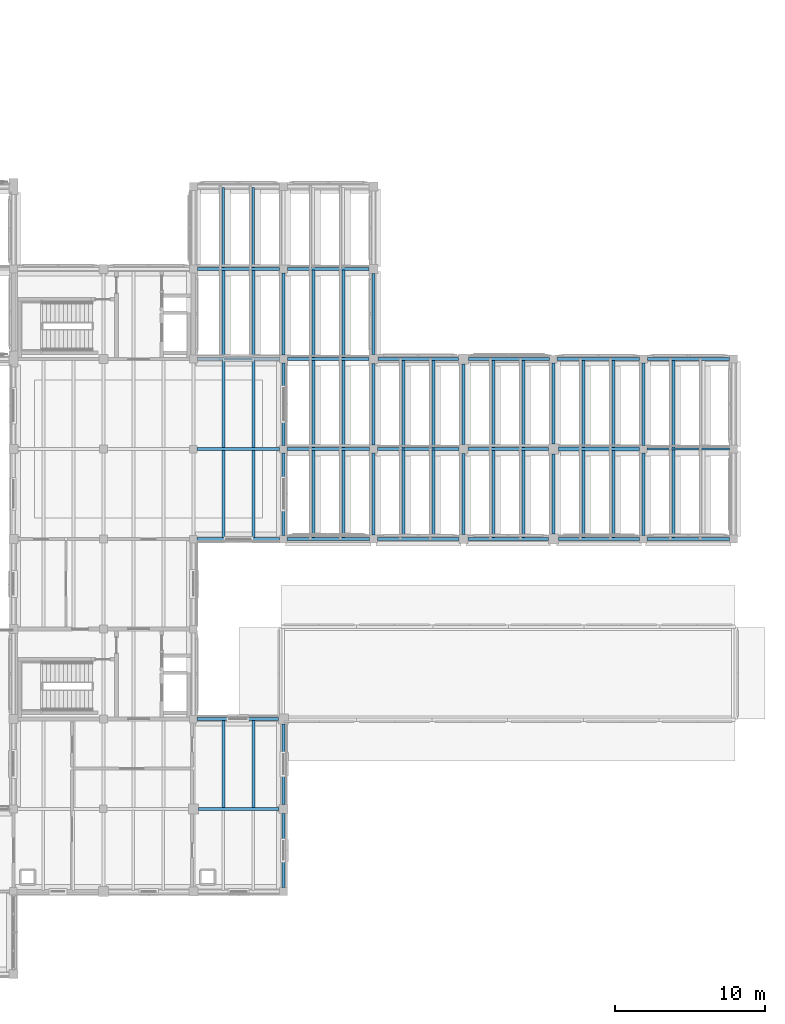
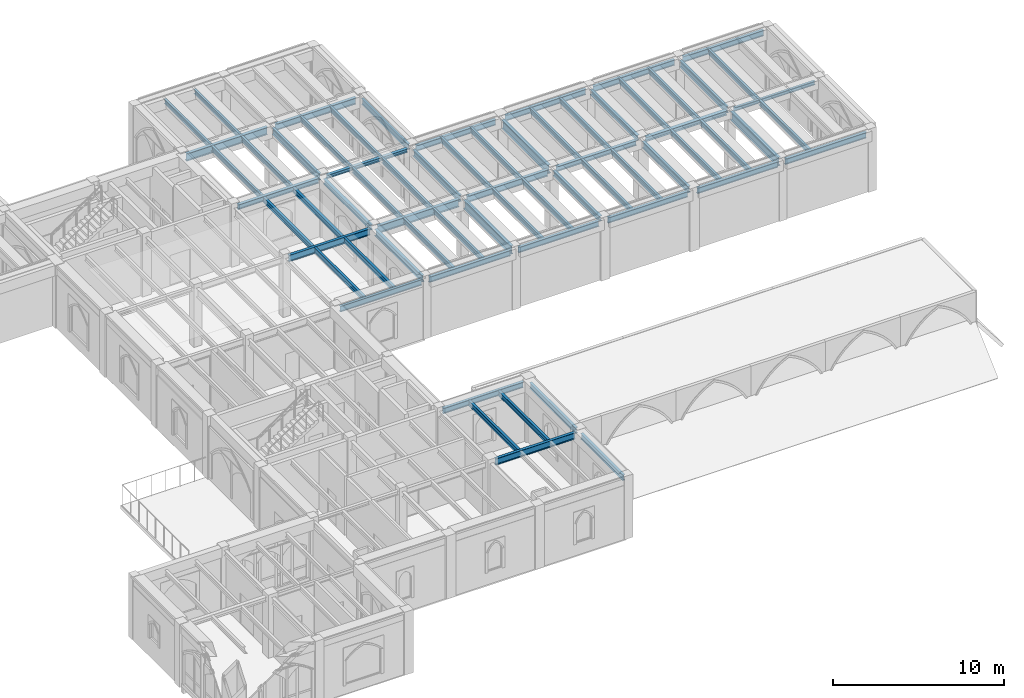
# One storey, part 60 of 127: 66 beams.
"""IFC4 building model written with IfcOpenShell, lengths in metres."""

from ifc_helpers import new_model, si_unit, direction, frame, origin, origin_2d, place, context, subcontext, project, spatial, i_section, extrude, material, material_profile, profile_set, type_object, element, save


model = new_model("IFC4")

# Units and contexts
model_context = context("Model", 3, precision=1e-05, world=origin(), true_north=direction((0.0, 1.0)))
body_context = subcontext(model_context, "Body", "Model", "MODEL_VIEW")
ifc_project = project(units=[si_unit("LENGTHUNIT", "METRE"), si_unit("AREAUNIT", "SQUARE_METRE"), si_unit("VOLUMEUNIT", "CUBIC_METRE"), si_unit("PLANEANGLEUNIT", "RADIAN"), si_unit("MASSUNIT", "GRAM", prefix="KILO")], contexts=[model_context])

# Site, building, storey
site_placement = place(None, origin())
site = spatial("IfcSite", under=ifc_project, at=site_placement, CompositionType="ELEMENT")
building_placement = place(site_placement, origin())
building = spatial("IfcBuilding", under=site, at=building_placement, Name="Cumevento Cable Car Station", CompositionType="ELEMENT")
storey_placement = place(building_placement, frame((0.0, 0.0, 4.5)))
storey = spatial("IfcBuildingStorey", under=building, at=storey_placement, Name="L02", CompositionType="ELEMENT", Elevation=4.5)

# Beams
ifc_material_1 = material(Name="Steel ASTM A572 Grade 50", Category="steel")
ifc_material_profile_1 = material_profile(ifc_material_1, i_section(OverallWidth=0.22802734375, OverallDepth=0.60791015625, WebThickness=0.01123046875, FlangeThickness=0.017333984375, at=origin_2d()), Name="W610x113.0")
ifc_profile_set_1 = profile_set([ifc_material_profile_1], Name="Steel ASTM A572 Grade 50")
beam_type_1 = type_object("IfcBeamType", Name="Structural Beam BM-02 W610x113.0", PredefinedType="BEAM", material=ifc_profile_set_1)
beam_1_placement = place(storey_placement, frame((142.0, 33.27490234375, 3.885986328125), z_axis=(0.0, 1.0, 0.0), x_axis=(-1.0, 0.0, 0.0)))
element("IfcBeam", 1, at=beam_1_placement, inside=storey, type_object=beam_type_1, Name="Beam BM-02 L02 #706", PredefinedType="BEAM", context=body_context, shape_type="SweptSolid", body=[
    extrude(i_section(OverallWidth=0.22802734375, OverallDepth=0.60791015625, WebThickness=0.01123046875, FlangeThickness=0.017333984375, at=origin_2d()), origin(), (0.0, 0.0, 1.0), 5.4501953125),
])
beam_2_placement = place(storey_placement, frame((148.0, 39.300048828125, 3.885986328125), z_axis=(0.0, 1.0, 0.0), x_axis=(-1.0, 0.0, 0.0)))
element("IfcBeam", 2, at=beam_2_placement, inside=storey, type_object=beam_type_1, Name="Beam BM-02 L02 #709", PredefinedType="BEAM", context=body_context, shape_type="SweptSolid", body=[
    extrude(i_section(OverallWidth=0.22802734375, OverallDepth=0.60791015625, WebThickness=0.01123046875, FlangeThickness=0.017333984375, at=origin_2d()), origin(), (0.0, 0.0, 1.0), 5.375),
])
beam_3_placement = place(storey_placement, frame((160.0, 33.25, 3.885986328125), z_axis=(0.0, 1.0, 0.0), x_axis=(-1.0, 0.0, 0.0)))
element("IfcBeam", 3, at=beam_3_placement, inside=storey, type_object=beam_type_1, Name="Beam BM-02 L02 #712", PredefinedType="BEAM", context=body_context, shape_type="SweptSolid", body=[
    extrude(i_section(OverallWidth=0.22802734375, OverallDepth=0.60791015625, WebThickness=0.01123046875, FlangeThickness=0.017333984375, at=origin_2d()), origin(), (0.0, 0.0, 1.0), 5.5),
])
ifc_material_2 = material(Name="Steel ASTM A572 Grade 50", Category="steel")
ifc_material_profile_2 = material_profile(ifc_material_2, i_section(OverallWidth=0.18994140625, OverallDepth=0.45703125, WebThickness=0.009033203125, FlangeThickness=0.014404296875, at=origin_2d()), Name="W460x74.0")
ifc_profile_set_2 = profile_set([ifc_material_profile_2], Name="Steel ASTM A572 Grade 50")
beam_type_2 = type_object("IfcBeamType", Name="Structural Beam BM-04 W460x74.0", PredefinedType="BEAM", material=ifc_profile_set_2)
beam_4_placement = place(storey_placement, frame((136.0, 33.25, 3.95654296875), z_axis=(0.0, 1.0, 0.0), x_axis=(-1.0, 0.0, 0.0)))
element("IfcBeam", 4, at=beam_4_placement, inside=storey, type_object=beam_type_2, Name="Beam BM-04 L02 #689", PredefinedType="BEAM", context=body_context, shape_type="SweptSolid", body=[
    extrude(i_section(OverallWidth=0.18994140625, OverallDepth=0.45703125, WebThickness=0.009033203125, FlangeThickness=0.014404296875, at=origin_2d()), origin(), (0.0, 0.0, 1.0), 5.5),
])
for number, where, z_axis, x_axis, name in (
    (5, (142.27490234375, 39.0, 3.96142578125), (1.0, 0.0, 0.0), (0.0, 1.0, 0.0), "Beam BM-04 L02 #697"),
    (6, (142.0, 39.27490234375, 3.92138671875), (0.0, 1.0, 0.0), (-1.0, 0.0, 0.0), "Beam BM-04 L02 #707"),
):
    element("IfcBeam", number, at=place(storey_placement, frame(where, z_axis=z_axis, x_axis=x_axis)), inside=storey, type_object=beam_type_2, Name=name, PredefinedType="BEAM", context=body_context, shape_type="SweptSolid", body=[
        extrude(i_section(OverallWidth=0.18994140625, OverallDepth=0.45703125, WebThickness=0.009033203125, FlangeThickness=0.014404296875, at=origin_2d()), origin(), (0.0, 0.0, 1.0), 5.425048828125),
    ])
beam_5_placement = place(storey_placement, frame((154.0, 33.324951171875, 3.96142578125), z_axis=(0.0, 1.0, 0.0), x_axis=(-1.0, 0.0, 0.0)))
element("IfcBeam", 7, at=beam_5_placement, inside=storey, type_object=beam_type_2, Name="Beam BM-04 L02 #710", PredefinedType="BEAM", context=body_context, shape_type="SweptSolid", body=[
    extrude(i_section(OverallWidth=0.18994140625, OverallDepth=0.45703125, WebThickness=0.009033203125, FlangeThickness=0.014404296875, at=origin_2d()), origin(), (0.0, 0.0, 1.0), 5.35009765625),
])
beam_6_placement = place(storey_placement, frame((160.0, 39.25, 3.96142578125), z_axis=(0.0, 1.0, 0.0), x_axis=(-1.0, 0.0, 0.0)))
element("IfcBeam", 8, at=beam_6_placement, inside=storey, type_object=beam_type_2, Name="Beam BM-04 L02 #713", PredefinedType="BEAM", context=body_context, shape_type="SweptSolid", body=[
    extrude(i_section(OverallWidth=0.18994140625, OverallDepth=0.45703125, WebThickness=0.009033203125, FlangeThickness=0.014404296875, at=origin_2d()), origin(), (0.0, 0.0, 1.0), 5.47509765625),
])
beam_7_placement = place(storey_placement, frame((136.27490234375, 51.0, 3.92138671875), z_axis=(1.0, 0.0, 0.0), x_axis=(0.0, 1.0, 0.0)))
element("IfcBeam", 9, at=beam_7_placement, inside=storey, type_object=beam_type_2, Name="Beam BM-04 L02 #721", PredefinedType="BEAM", context=body_context, shape_type="SweptSolid", body=[
    extrude(i_section(OverallWidth=0.18994140625, OverallDepth=0.45703125, WebThickness=0.009033203125, FlangeThickness=0.014404296875, at=origin_2d()), origin(), (0.0, 0.0, 1.0), 5.425048828125),
])
beam_8_placement = place(storey_placement, frame((136.0, 45.27490234375, 3.92138671875), z_axis=(0.0, 1.0, 0.0), x_axis=(-1.0, 0.0, 0.0)))
element("IfcBeam", 10, at=beam_8_placement, inside=storey, type_object=beam_type_2, Name="Beam BM-04 L02 #725", PredefinedType="BEAM", context=body_context, shape_type="SweptSolid", body=[
    extrude(i_section(OverallWidth=0.18994140625, OverallDepth=0.45703125, WebThickness=0.009033203125, FlangeThickness=0.014404296875, at=origin_2d()), origin(), (0.0, 0.0, 1.0), 5.4501953125),
])
ifc_material_3 = material(Name="Steel ASTM A572 Grade 50", Category="steel")
ifc_material_profile_3 = material_profile(ifc_material_3, i_section(OverallWidth=0.205078125, OverallDepth=0.35400390625, WebThickness=0.009521484375, FlangeThickness=0.016845703125, at=origin_2d()), Name="W360x79.0")
ifc_profile_set_3 = profile_set([ifc_material_profile_3], Name="Steel ASTM A572 Grade 50")
beam_type_3 = type_object("IfcBeamType", Name="Structural Beam BM-05 W360x79.0", PredefinedType="BEAM", material=ifc_profile_set_3)
beam_9_placement = place(storey_placement, frame((130.27490234375, 45.0, 3.972900390625), z_axis=(1.0, 0.0, 0.0), x_axis=(0.0, 1.0, 0.0)))
element("IfcBeam", 11, at=beam_9_placement, inside=storey, type_object=beam_type_3, Name="Beam BM-05 L02 #682", PredefinedType="BEAM", context=body_context, shape_type="SweptSolid", body=[
    extrude(i_section(OverallWidth=0.205078125, OverallDepth=0.35400390625, WebThickness=0.009521484375, FlangeThickness=0.016845703125, at=origin_2d()), origin(), (0.0, 0.0, 1.0), 5.4501953125),
])
beam_10_placement = place(storey_placement, frame((136.0, 39.25, 3.972900390625), z_axis=(0.0, 1.0, 0.0), x_axis=(-1.0, 0.0, 0.0)))
element("IfcBeam", 12, at=beam_10_placement, inside=storey, type_object=beam_type_3, Name="Beam BM-05 L02 #690", PredefinedType="BEAM", context=body_context, shape_type="SweptSolid", body=[
    extrude(i_section(OverallWidth=0.205078125, OverallDepth=0.35400390625, WebThickness=0.009521484375, FlangeThickness=0.016845703125, at=origin_2d()), origin(), (0.0, 0.0, 1.0), 5.47509765625),
])
beam_11_placement = place(storey_placement, frame((148.300048828125, 39.0, 4.012939453125), z_axis=(1.0, 0.0, 0.0), x_axis=(0.0, 1.0, 0.0)))
element("IfcBeam", 13, at=beam_11_placement, inside=storey, type_object=beam_type_3, Name="Beam BM-05 L02 #698", PredefinedType="BEAM", context=body_context, shape_type="SweptSolid", body=[
    extrude(i_section(OverallWidth=0.205078125, OverallDepth=0.35400390625, WebThickness=0.009521484375, FlangeThickness=0.016845703125, at=origin_2d()), origin(), (0.0, 0.0, 1.0), 5.375),
])
beam_12_placement = place(storey_placement, frame((148.0, 33.300048828125, 4.012939453125), z_axis=(0.0, 1.0, 0.0), x_axis=(-1.0, 0.0, 0.0)))
element("IfcBeam", 14, at=beam_12_placement, inside=storey, type_object=beam_type_3, Name="Beam BM-05 L02 #708", PredefinedType="BEAM", context=body_context, shape_type="SweptSolid", body=[
    extrude(i_section(OverallWidth=0.205078125, OverallDepth=0.35400390625, WebThickness=0.009521484375, FlangeThickness=0.016845703125, at=origin_2d()), origin(), (0.0, 0.0, 1.0), 5.39990234375),
])
beam_13_placement = place(storey_placement, frame((154.0, 39.324951171875, 4.012939453125), z_axis=(0.0, 1.0, 0.0), x_axis=(-1.0, 0.0, 0.0)))
element("IfcBeam", 15, at=beam_13_placement, inside=storey, type_object=beam_type_3, Name="Beam BM-05 L02 #711", PredefinedType="BEAM", context=body_context, shape_type="SweptSolid", body=[
    extrude(i_section(OverallWidth=0.205078125, OverallDepth=0.35400390625, WebThickness=0.009521484375, FlangeThickness=0.016845703125, at=origin_2d()), origin(), (0.0, 0.0, 1.0), 5.425048828125),
])
ifc_material_4 = material(Name="Steel ASTM A572 Grade 50", Category="steel")
ifc_material_profile_4 = material_profile(ifc_material_4, i_section(OverallWidth=0.25390625, OverallDepth=0.305908203125, WebThickness=0.0087890625, FlangeThickness=0.0146484375, at=origin_2d()), Name="W310x79.0")
ifc_profile_set_4 = profile_set([ifc_material_profile_4], Name="Steel ASTM A572 Grade 50")
beam_type_4 = type_object("IfcBeamType", Name="Structural Beam BM-06 W310x79.0", PredefinedType="BEAM", material=ifc_profile_set_4)
beam_14_placement = place(storey_placement, frame((154.324951171875, 39.0, 4.037109375), z_axis=(1.0, 0.0, 0.0), x_axis=(0.0, 1.0, 0.0)))
element("IfcBeam", 16, at=beam_14_placement, inside=storey, type_object=beam_type_4, Name="Beam BM-06 L02 #699", PredefinedType="BEAM", context=body_context, shape_type="SweptSolid", body=[
    extrude(i_section(OverallWidth=0.25390625, OverallDepth=0.305908203125, WebThickness=0.0087890625, FlangeThickness=0.0146484375, at=origin_2d()), origin(), (0.0, 0.0, 1.0), 5.425048828125),
])
ifc_material_5 = material(Name="Steel ASTM A572 Grade 50", Category="steel")
ifc_material_profile_5 = material_profile(ifc_material_5, i_section(OverallWidth=0.14794921875, OverallDepth=0.26611328125, WebThickness=0.007568359375, FlangeThickness=0.012939453125, at=origin_2d()), Name="W250x44.8")
ifc_profile_set_5 = profile_set([ifc_material_profile_5], Name="Steel ASTM A572 Grade 50")
beam_type_5 = type_object("IfcBeamType", Name="Structural Beam BM-07 W250x44.8", PredefinedType="BEAM", material=ifc_profile_set_5)
beam_15_placement = place(storey_placement, frame((160.25, 39.0, 4.056884765625), z_axis=(1.0, 0.0, 0.0), x_axis=(0.0, 1.0, 0.0)))
element("IfcBeam", 17, at=beam_15_placement, inside=storey, type_object=beam_type_5, Name="Beam BM-07 L02 #700", PredefinedType="BEAM", context=body_context, shape_type="SweptSolid", body=[
    extrude(i_section(OverallWidth=0.14794921875, OverallDepth=0.26611328125, WebThickness=0.007568359375, FlangeThickness=0.012939453125, at=origin_2d()), origin(), (0.0, 0.0, 1.0), 5.47509765625),
])
ifc_material_6 = material(Name="Steel ASTM A572 Grade 50", Category="steel")
ifc_material_profile_6 = material_profile(ifc_material_6, i_section(OverallWidth=0.202880859375, OverallDepth=0.251953125, WebThickness=0.008056640625, FlangeThickness=0.013427734375, at=origin_2d()), Name="W250x58.0")
ifc_profile_set_6 = profile_set([ifc_material_profile_6], Name="Steel ASTM A572 Grade 50")
beam_type_6 = type_object("IfcBeamType", Name="Structural Beam BM-08 W250x58.0", PredefinedType="BEAM", material=ifc_profile_set_6)
beam_16_placement = place(storey_placement, frame((136.27490234375, 45.0, 4.02392578125), z_axis=(1.0, 0.0, 0.0), x_axis=(0.0, 1.0, 0.0)))
element("IfcBeam", 18, at=beam_16_placement, inside=storey, type_object=beam_type_6, Name="Beam BM-08 L02 #701", PredefinedType="BEAM", context=body_context, shape_type="SweptSolid", body=[
    extrude(i_section(OverallWidth=0.202880859375, OverallDepth=0.251953125, WebThickness=0.008056640625, FlangeThickness=0.013427734375, at=origin_2d()), origin(), (0.0, 0.0, 1.0), 5.425048828125),
])
ifc_material_7 = material(Name="Steel ASTM A572 Grade 50", Category="steel")
ifc_material_profile_7 = material_profile(ifc_material_7, i_section(OverallWidth=0.19189453125, OverallDepth=0.462890625, WebThickness=0.010498046875, FlangeThickness=0.017578125, at=origin_2d()), Name="W460x89.0")
ifc_profile_set_7 = profile_set([ifc_material_profile_7], Name="Steel ASTM A572 Grade 50")
beam_type_7 = type_object("IfcBeamType", Name="Structural Beam BM-10 W460x89.0", PredefinedType="BEAM", material=ifc_profile_set_7)
beam_17_placement = place(storey_placement, frame((130.324951171875, 15.0, 3.984619140625), z_axis=(1.0, 0.0, 0.0), x_axis=(0.0, 1.0, 0.0)))
element("IfcBeam", 19, at=beam_17_placement, inside=storey, type_object=beam_type_7, Name="Beam BM-10 L02 #655", PredefinedType="BEAM", context=body_context, shape_type="SweptSolid", body=[
    extrude(i_section(OverallWidth=0.19189453125, OverallDepth=0.462890625, WebThickness=0.010498046875, FlangeThickness=0.017578125, at=origin_2d()), origin(), (0.0, 0.0, 1.0), 5.375),
])
beam_18_placement = place(storey_placement, frame((130.25, 39.0, 3.95361328125), z_axis=(1.0, 0.0, 0.0), x_axis=(0.0, 1.0, 0.0)))
element("IfcBeam", 20, at=beam_18_placement, inside=storey, type_object=beam_type_7, Name="Beam BM-10 L02 #679", PredefinedType="BEAM", context=body_context, shape_type="SweptSolid", body=[
    extrude(i_section(OverallWidth=0.19189453125, OverallDepth=0.462890625, WebThickness=0.010498046875, FlangeThickness=0.017578125, at=origin_2d()), origin(), (0.0, 0.0, 1.0), 5.5),
])
ifc_material_8 = material(Name="Steel ASTM A572 Grade 50", Category="steel")
ifc_material_profile_8 = material_profile(ifc_material_8, i_section(OverallWidth=0.2109375, OverallDepth=0.5390625, WebThickness=0.01171875, FlangeThickness=0.018798828125, at=origin_2d()), Name="W530x109.0")
ifc_profile_set_8 = profile_set([ifc_material_profile_8], Name="Steel ASTM A572 Grade 50")
beam_type_8 = type_object("IfcBeamType", Name="Structural Beam BM-11 W530x109.0", PredefinedType="BEAM", material=ifc_profile_set_8)
beam_19_placement = place(storey_placement, frame((136.25, 39.0, 3.91552734375), z_axis=(1.0, 0.0, 0.0), x_axis=(0.0, 1.0, 0.0)))
element("IfcBeam", 21, at=beam_19_placement, inside=storey, type_object=beam_type_8, Name="Beam BM-11 L02 #696", PredefinedType="BEAM", context=body_context, shape_type="SweptSolid", body=[
    extrude(i_section(OverallWidth=0.2109375, OverallDepth=0.5390625, WebThickness=0.01171875, FlangeThickness=0.018798828125, at=origin_2d()), origin(), (0.0, 0.0, 1.0), 5.47509765625),
])
beam_20_placement = place(storey_placement, frame((130.27490234375, 51.0, 3.880615234375), z_axis=(1.0, 0.0, 0.0), x_axis=(0.0, 1.0, 0.0)))
element("IfcBeam", 22, at=beam_20_placement, inside=storey, type_object=beam_type_8, Name="Beam BM-11 L02 #720", PredefinedType="BEAM", context=body_context, shape_type="SweptSolid", body=[
    extrude(i_section(OverallWidth=0.2109375, OverallDepth=0.5390625, WebThickness=0.01171875, FlangeThickness=0.018798828125, at=origin_2d()), origin(), (0.0, 0.0, 1.0), 5.4501953125),
])
ifc_material_9 = material(Name="Steel ASTM A572 Grade 50", Category="steel")
ifc_material_profile_9 = material_profile(ifc_material_9, i_section(OverallWidth=0.1708984375, OverallDepth=0.35498046875, WebThickness=0.007080078125, FlangeThickness=0.01171875, at=origin_2d()), Name="W360x51.0")
ifc_profile_set_9 = profile_set([ifc_material_profile_9], Name="Steel ASTM A572 Grade 50")
beam_type_9 = type_object("IfcBeamType", Name="Structural Joist JS-01 W360x51.0", PredefinedType="JOIST", material=ifc_profile_set_9)
for number, where, z_axis, x_axis, name in (
    (23, (132.0, 15.083984375, 4.03857421875), (0.0, 1.0, 0.0), (-1.0, 0.0, 0.0), "Composite Floor Joist JS-01 L02 #875"),
    (24, (134.0, 15.083984375, 4.03857421875), (0.0, 1.0, 0.0), (-1.0, 0.0, 0.0), "Composite Floor Joist JS-01 L02 #877"),
    (25, (132.0, 33.076904296875, 4.007568359375), (0.0, 1.0, 0.0), (-1.0, 0.0, 0.0), "Composite Floor Joist JS-01 L02 #891"),
):
    element("IfcBeam", number, at=place(storey_placement, frame(where, z_axis=z_axis, x_axis=x_axis)), inside=storey, type_object=beam_type_9, Name=name, PredefinedType="JOIST", context=body_context, shape_type="SweptSolid", body=[
        extrude(i_section(OverallWidth=0.1708984375, OverallDepth=0.35498046875, WebThickness=0.007080078125, FlangeThickness=0.01171875, at=origin_2d()), origin(), (0.0, 0.0, 1.0), 5.839111328125),
    ])
beam_21_placement = place(storey_placement, frame((132.0, 39.083984375, 3.972412109375), z_axis=(0.0, 1.0, 0.0), x_axis=(-1.0, 0.0, 0.0)))
element("IfcBeam", 26, at=beam_21_placement, inside=storey, type_object=beam_type_9, Name="Composite Floor Joist JS-01 L02 #892", PredefinedType="JOIST", context=body_context, shape_type="SweptSolid", body=[
    extrude(i_section(OverallWidth=0.1708984375, OverallDepth=0.35498046875, WebThickness=0.007080078125, FlangeThickness=0.01171875, at=origin_2d()), origin(), (0.0, 0.0, 1.0), 5.825439453125),
])
beam_22_placement = place(storey_placement, frame((134.0, 33.076904296875, 4.007568359375), z_axis=(0.0, 1.0, 0.0), x_axis=(-1.0, 0.0, 0.0)))
element("IfcBeam", 27, at=beam_22_placement, inside=storey, type_object=beam_type_9, Name="Composite Floor Joist JS-01 L02 #893", PredefinedType="JOIST", context=body_context, shape_type="SweptSolid", body=[
    extrude(i_section(OverallWidth=0.1708984375, OverallDepth=0.35498046875, WebThickness=0.007080078125, FlangeThickness=0.01171875, at=origin_2d()), origin(), (0.0, 0.0, 1.0), 5.839111328125),
])
beam_23_placement = place(storey_placement, frame((134.0, 39.083984375, 3.972412109375), z_axis=(0.0, 1.0, 0.0), x_axis=(-1.0, 0.0, 0.0)))
element("IfcBeam", 28, at=beam_23_placement, inside=storey, type_object=beam_type_9, Name="Composite Floor Joist JS-01 L02 #894", PredefinedType="JOIST", context=body_context, shape_type="SweptSolid", body=[
    extrude(i_section(OverallWidth=0.1708984375, OverallDepth=0.35498046875, WebThickness=0.007080078125, FlangeThickness=0.01171875, at=origin_2d()), origin(), (0.0, 0.0, 1.0), 5.825439453125),
])
beam_24_placement = place(storey_placement, frame((138.0, 33.076904296875, 4.012451171875), z_axis=(0.0, 1.0, 0.0), x_axis=(-1.0, 0.0, 0.0)))
element("IfcBeam", 29, at=beam_24_placement, inside=storey, type_object=beam_type_9, Name="Composite Floor Joist JS-01 L02 #895", PredefinedType="JOIST", context=body_context, shape_type="SweptSolid", body=[
    extrude(i_section(OverallWidth=0.1708984375, OverallDepth=0.35498046875, WebThickness=0.007080078125, FlangeThickness=0.01171875, at=origin_2d()), origin(), (0.0, 0.0, 1.0), 5.82958984375),
])
beam_25_placement = place(storey_placement, frame((138.0, 39.093505859375, 3.972412109375), z_axis=(0.0, 1.0, 0.0), x_axis=(-1.0, 0.0, 0.0)))
element("IfcBeam", 30, at=beam_25_placement, inside=storey, type_object=beam_type_9, Name="Composite Floor Joist JS-01 L02 #896", PredefinedType="JOIST", context=body_context, shape_type="SweptSolid", body=[
    extrude(i_section(OverallWidth=0.1708984375, OverallDepth=0.35498046875, WebThickness=0.007080078125, FlangeThickness=0.01171875, at=origin_2d()), origin(), (0.0, 0.0, 1.0), 5.81689453125),
])
beam_26_placement = place(storey_placement, frame((140.0, 33.076904296875, 4.012451171875), z_axis=(0.0, 1.0, 0.0), x_axis=(-1.0, 0.0, 0.0)))
element("IfcBeam", 31, at=beam_26_placement, inside=storey, type_object=beam_type_9, Name="Composite Floor Joist JS-01 L02 #897", PredefinedType="JOIST", context=body_context, shape_type="SweptSolid", body=[
    extrude(i_section(OverallWidth=0.1708984375, OverallDepth=0.35498046875, WebThickness=0.007080078125, FlangeThickness=0.01171875, at=origin_2d()), origin(), (0.0, 0.0, 1.0), 5.82958984375),
])
beam_27_placement = place(storey_placement, frame((140.0, 39.093505859375, 3.972412109375), z_axis=(0.0, 1.0, 0.0), x_axis=(-1.0, 0.0, 0.0)))
element("IfcBeam", 32, at=beam_27_placement, inside=storey, type_object=beam_type_9, Name="Composite Floor Joist JS-01 L02 #898", PredefinedType="JOIST", context=body_context, shape_type="SweptSolid", body=[
    extrude(i_section(OverallWidth=0.1708984375, OverallDepth=0.35498046875, WebThickness=0.007080078125, FlangeThickness=0.01171875, at=origin_2d()), origin(), (0.0, 0.0, 1.0), 5.81689453125),
])
for number, where, z_axis, x_axis, name in (
    (33, (144.0, 33.076904296875, 4.012451171875), (0.0, 1.0, 0.0), (-1.0, 0.0, 0.0), "Composite Floor Joist JS-01 L02 #899"),
    (34, (144.0, 39.0830078125, 4.012451171875), (0.0, 1.0, 0.0), (-1.0, 0.0, 0.0), "Composite Floor Joist JS-01 L02 #900"),
    (35, (146.0, 33.076904296875, 4.012451171875), (0.0, 1.0, 0.0), (-1.0, 0.0, 0.0), "Composite Floor Joist JS-01 L02 #901"),
    (36, (146.0, 39.0830078125, 4.012451171875), (0.0, 1.0, 0.0), (-1.0, 0.0, 0.0), "Composite Floor Joist JS-01 L02 #902"),
):
    element("IfcBeam", number, at=place(storey_placement, frame(where, z_axis=z_axis, x_axis=x_axis)), inside=storey, type_object=beam_type_9, Name=name, PredefinedType="JOIST", context=body_context, shape_type="SweptSolid", body=[
        extrude(i_section(OverallWidth=0.1708984375, OverallDepth=0.35498046875, WebThickness=0.007080078125, FlangeThickness=0.01171875, at=origin_2d()), origin(), (0.0, 0.0, 1.0), 5.840087890625),
    ])
for number, where, z_axis, x_axis, name in (
    (37, (150.0, 33.076904296875, 4.012451171875), (0.0, 1.0, 0.0), (-1.0, 0.0, 0.0), "Composite Floor Joist JS-01 L02 #903"),
    (38, (150.0, 39.090576171875, 4.012451171875), (0.0, 1.0, 0.0), (-1.0, 0.0, 0.0), "Composite Floor Joist JS-01 L02 #904"),
    (39, (152.0, 33.076904296875, 4.012451171875), (0.0, 1.0, 0.0), (-1.0, 0.0, 0.0), "Composite Floor Joist JS-01 L02 #905"),
    (40, (152.0, 39.090576171875, 4.012451171875), (0.0, 1.0, 0.0), (-1.0, 0.0, 0.0), "Composite Floor Joist JS-01 L02 #906"),
):
    element("IfcBeam", number, at=place(storey_placement, frame(where, z_axis=z_axis, x_axis=x_axis)), inside=storey, type_object=beam_type_9, Name=name, PredefinedType="JOIST", context=body_context, shape_type="SweptSolid", body=[
        extrude(i_section(OverallWidth=0.1708984375, OverallDepth=0.35498046875, WebThickness=0.007080078125, FlangeThickness=0.01171875, at=origin_2d()), origin(), (0.0, 0.0, 1.0), 5.83251953125),
    ])
for number, where, z_axis, x_axis, name in (
    (41, (156.0, 33.076904296875, 4.012451171875), (0.0, 1.0, 0.0), (-1.0, 0.0, 0.0), "Composite Floor Joist JS-01 L02 #907"),
    (42, (156.0, 39.114990234375, 4.012451171875), (0.0, 1.0, 0.0), (-1.0, 0.0, 0.0), "Composite Floor Joist JS-01 L02 #908"),
    (43, (158.0, 33.076904296875, 4.012451171875), (0.0, 1.0, 0.0), (-1.0, 0.0, 0.0), "Composite Floor Joist JS-01 L02 #909"),
    (44, (158.0, 39.114990234375, 4.012451171875), (0.0, 1.0, 0.0), (-1.0, 0.0, 0.0), "Composite Floor Joist JS-01 L02 #910"),
):
    element("IfcBeam", number, at=place(storey_placement, frame(where, z_axis=z_axis, x_axis=x_axis)), inside=storey, type_object=beam_type_9, Name=name, PredefinedType="JOIST", context=body_context, shape_type="SweptSolid", body=[
        extrude(i_section(OverallWidth=0.1708984375, OverallDepth=0.35498046875, WebThickness=0.007080078125, FlangeThickness=0.01171875, at=origin_2d()), origin(), (0.0, 0.0, 1.0), 5.80810546875),
    ])
for number, where, z_axis, x_axis, name in (
    (45, (162.0, 33.076904296875, 4.012451171875), (0.0, 1.0, 0.0), (-1.0, 0.0, 0.0), "Composite Floor Joist JS-01 L02 #911"),
    (46, (162.0, 39.06201171875, 4.012451171875), (0.0, 1.0, 0.0), (-1.0, 0.0, 0.0), "Composite Floor Joist JS-01 L02 #912"),
):
    element("IfcBeam", number, at=place(storey_placement, frame(where, z_axis=z_axis, x_axis=x_axis)), inside=storey, type_object=beam_type_9, Name=name, PredefinedType="JOIST", context=body_context, shape_type="SweptSolid", body=[
        extrude(i_section(OverallWidth=0.1708984375, OverallDepth=0.35498046875, WebThickness=0.007080078125, FlangeThickness=0.01171875, at=origin_2d()), origin(), (0.0, 0.0, 1.0), 5.861083984375),
    ])
for number, where, z_axis, x_axis, name in (
    (47, (132.0, 45.090576171875, 3.972412109375), (0.0, 1.0, 0.0), (-1.0, 0.0, 0.0), "Composite Floor Joist JS-01 L02 #916"),
    (48, (134.0, 45.090576171875, 3.972412109375), (0.0, 1.0, 0.0), (-1.0, 0.0, 0.0), "Composite Floor Joist JS-01 L02 #918"),
):
    element("IfcBeam", number, at=place(storey_placement, frame(where, z_axis=z_axis, x_axis=x_axis)), inside=storey, type_object=beam_type_9, Name=name, PredefinedType="JOIST", context=body_context, shape_type="SweptSolid", body=[
        extrude(i_section(OverallWidth=0.1708984375, OverallDepth=0.35498046875, WebThickness=0.007080078125, FlangeThickness=0.01171875, at=origin_2d()), origin(), (0.0, 0.0, 1.0), 5.81591796875),
    ])
for number, where, z_axis, x_axis, name in (
    (49, (138.0, 45.089599609375, 3.972412109375), (0.0, 1.0, 0.0), (-1.0, 0.0, 0.0), "Composite Floor Joist JS-01 L02 #920"),
    (50, (140.0, 45.089599609375, 3.972412109375), (0.0, 1.0, 0.0), (-1.0, 0.0, 0.0), "Composite Floor Joist JS-01 L02 #922"),
):
    element("IfcBeam", number, at=place(storey_placement, frame(where, z_axis=z_axis, x_axis=x_axis)), inside=storey, type_object=beam_type_9, Name=name, PredefinedType="JOIST", context=body_context, shape_type="SweptSolid", body=[
        extrude(i_section(OverallWidth=0.1708984375, OverallDepth=0.35498046875, WebThickness=0.007080078125, FlangeThickness=0.01171875, at=origin_2d()), origin(), (0.0, 0.0, 1.0), 5.827392578125),
    ])
ifc_material_10 = material(Name="Steel ASTM A572 Grade 50", Category="steel")
ifc_material_profile_10 = material_profile(ifc_material_10, i_section(OverallWidth=0.1669921875, OverallDepth=0.31689453125, WebThickness=0.007568359375, FlangeThickness=0.01318359375, at=origin_2d()), Name="W310x52.0")
ifc_profile_set_10 = profile_set([ifc_material_profile_10], Name="Steel ASTM A572 Grade 50")
beam_type_10 = type_object("IfcBeamType", Name="Structural Joist JS-02 W310x52.0", PredefinedType="JOIST", material=ifc_profile_set_10)
for number, where, z_axis, x_axis, name in (
    (51, (132.0, 51.093505859375, 3.991455078125), (0.0, 1.0, 0.0), (-1.0, 0.0, 0.0), "Composite Floor Joist JS-02 L02 #917"),
    (52, (134.0, 51.093505859375, 3.991455078125), (0.0, 1.0, 0.0), (-1.0, 0.0, 0.0), "Composite Floor Joist JS-02 L02 #919"),
):
    element("IfcBeam", number, at=place(storey_placement, frame(where, z_axis=z_axis, x_axis=x_axis)), inside=storey, type_object=beam_type_10, Name=name, PredefinedType="JOIST", context=body_context, shape_type="SweptSolid", body=[
        extrude(i_section(OverallWidth=0.1669921875, OverallDepth=0.31689453125, WebThickness=0.007568359375, FlangeThickness=0.01318359375, at=origin_2d()), origin(), (0.0, 0.0, 1.0), 5.32958984375),
    ])
ifc_material_11 = material(Name="Steel ASTM A572 Grade 50", Category="steel")
ifc_material_profile_11 = material_profile(ifc_material_11, i_section(OverallWidth=0.177978515625, OverallDepth=0.406982421875, WebThickness=0.0078125, FlangeThickness=0.0126953125, at=origin_2d()), Name="W410x60.0")
ifc_profile_set_11 = profile_set([ifc_material_profile_11], Name="Steel ASTM A572 Grade 50")
beam_type_11 = type_object("IfcBeamType", Name="Structural Spandrel SP-01 W410x60.0", PredefinedType="SPANDREL", material=ifc_profile_set_11)
beam_28_placement = place(storey_placement, frame((130.25, 21.0, 4.00048828125), z_axis=(1.0, 0.0, 0.0), x_axis=(0.0, 1.0, 0.0)))
element("IfcBeam", 53, at=beam_28_placement, inside=storey, type_object=beam_type_11, Name="Beam SP-01 L02 #658", PredefinedType="SPANDREL", context=body_context, shape_type="SweptSolid", body=[
    extrude(i_section(OverallWidth=0.177978515625, OverallDepth=0.406982421875, WebThickness=0.0078125, FlangeThickness=0.0126953125, at=origin_2d()), origin(), (0.0, 0.0, 1.0), 5.425048828125),
])
beam_29_placement = place(storey_placement, frame((136.0, 9.77490234375, 4.012451171875), z_axis=(0.0, 1.0, 0.0), x_axis=(-1.0, 0.0, 0.0)))
element("IfcBeam", 54, at=beam_29_placement, inside=storey, type_object=beam_type_11, Name="Beam SP-01 L02 #664", PredefinedType="SPANDREL", context=body_context, shape_type="SweptSolid", body=[
    extrude(i_section(OverallWidth=0.177978515625, OverallDepth=0.406982421875, WebThickness=0.0078125, FlangeThickness=0.0126953125, at=origin_2d()), origin(), (0.0, 0.0, 1.0), 4.925048828125),
])
beam_30_placement = place(storey_placement, frame((136.0, 15.300048828125, 4.012451171875), z_axis=(0.0, 1.0, 0.0), x_axis=(-1.0, 0.0, 0.0)))
element("IfcBeam", 55, at=beam_30_placement, inside=storey, type_object=beam_type_11, Name="Beam SP-01 L02 #665", PredefinedType="SPANDREL", context=body_context, shape_type="SweptSolid", body=[
    extrude(i_section(OverallWidth=0.177978515625, OverallDepth=0.406982421875, WebThickness=0.0078125, FlangeThickness=0.0126953125, at=origin_2d()), origin(), (0.0, 0.0, 1.0), 5.375),
])
beam_31_placement = place(storey_placement, frame((130.25, 33.0, 3.9814453125), z_axis=(1.0, 0.0, 0.0), x_axis=(0.0, 1.0, 0.0)))
element("IfcBeam", 56, at=beam_31_placement, inside=storey, type_object=beam_type_11, Name="Beam SP-01 L02 #676", PredefinedType="SPANDREL", context=body_context, shape_type="SweptSolid", body=[
    extrude(i_section(OverallWidth=0.177978515625, OverallDepth=0.406982421875, WebThickness=0.0078125, FlangeThickness=0.0126953125, at=origin_2d()), origin(), (0.0, 0.0, 1.0), 5.5),
])
beam_32_placement = place(storey_placement, frame((136.25, 33.0, 3.9814453125), z_axis=(1.0, 0.0, 0.0), x_axis=(0.0, 1.0, 0.0)))
element("IfcBeam", 57, at=beam_32_placement, inside=storey, type_object=beam_type_11, Name="Beam SP-01 L02 #691", PredefinedType="SPANDREL", context=body_context, shape_type="SweptSolid", body=[
    extrude(i_section(OverallWidth=0.177978515625, OverallDepth=0.406982421875, WebThickness=0.0078125, FlangeThickness=0.0126953125, at=origin_2d()), origin(), (0.0, 0.0, 1.0), 5.47509765625),
])
beam_33_placement = place(storey_placement, frame((142.27490234375, 33.0, 3.986572265625), z_axis=(1.0, 0.0, 0.0), x_axis=(0.0, 1.0, 0.0)))
element("IfcBeam", 58, at=beam_33_placement, inside=storey, type_object=beam_type_11, Name="Beam SP-01 L02 #692", PredefinedType="SPANDREL", context=body_context, shape_type="SweptSolid", body=[
    extrude(i_section(OverallWidth=0.177978515625, OverallDepth=0.406982421875, WebThickness=0.0078125, FlangeThickness=0.0126953125, at=origin_2d()), origin(), (0.0, 0.0, 1.0), 5.425048828125),
])
beam_34_placement = place(storey_placement, frame((148.300048828125, 33.0, 3.986572265625), z_axis=(1.0, 0.0, 0.0), x_axis=(0.0, 1.0, 0.0)))
element("IfcBeam", 59, at=beam_34_placement, inside=storey, type_object=beam_type_11, Name="Beam SP-01 L02 #693", PredefinedType="SPANDREL", context=body_context, shape_type="SweptSolid", body=[
    extrude(i_section(OverallWidth=0.177978515625, OverallDepth=0.406982421875, WebThickness=0.0078125, FlangeThickness=0.0126953125, at=origin_2d()), origin(), (0.0, 0.0, 1.0), 5.375),
])
beam_35_placement = place(storey_placement, frame((154.324951171875, 33.0, 3.986572265625), z_axis=(1.0, 0.0, 0.0), x_axis=(0.0, 1.0, 0.0)))
element("IfcBeam", 60, at=beam_35_placement, inside=storey, type_object=beam_type_11, Name="Beam SP-01 L02 #694", PredefinedType="SPANDREL", context=body_context, shape_type="SweptSolid", body=[
    extrude(i_section(OverallWidth=0.177978515625, OverallDepth=0.406982421875, WebThickness=0.0078125, FlangeThickness=0.0126953125, at=origin_2d()), origin(), (0.0, 0.0, 1.0), 5.425048828125),
])
beam_36_placement = place(storey_placement, frame((160.25, 33.0, 3.986572265625), z_axis=(1.0, 0.0, 0.0), x_axis=(0.0, 1.0, 0.0)))
element("IfcBeam", 61, at=beam_36_placement, inside=storey, type_object=beam_type_11, Name="Beam SP-01 L02 #695", PredefinedType="SPANDREL", context=body_context, shape_type="SweptSolid", body=[
    extrude(i_section(OverallWidth=0.177978515625, OverallDepth=0.406982421875, WebThickness=0.0078125, FlangeThickness=0.0126953125, at=origin_2d()), origin(), (0.0, 0.0, 1.0), 5.47509765625),
])
beam_37_placement = place(storey_placement, frame((142.300048828125, 45.0, 3.946533203125), z_axis=(1.0, 0.0, 0.0), x_axis=(0.0, 1.0, 0.0)))
element("IfcBeam", 62, at=beam_37_placement, inside=storey, type_object=beam_type_11, Name="Beam SP-01 L02 #702", PredefinedType="SPANDREL", context=body_context, shape_type="SweptSolid", body=[
    extrude(i_section(OverallWidth=0.177978515625, OverallDepth=0.406982421875, WebThickness=0.0078125, FlangeThickness=0.0126953125, at=origin_2d()), origin(), (0.0, 0.0, 1.0), 5.375),
])
beam_38_placement = place(storey_placement, frame((148.324951171875, 45.0, 3.986572265625), z_axis=(1.0, 0.0, 0.0), x_axis=(0.0, 1.0, 0.0)))
element("IfcBeam", 63, at=beam_38_placement, inside=storey, type_object=beam_type_11, Name="Beam SP-01 L02 #703", PredefinedType="SPANDREL", context=body_context, shape_type="SweptSolid", body=[
    extrude(i_section(OverallWidth=0.177978515625, OverallDepth=0.406982421875, WebThickness=0.0078125, FlangeThickness=0.0126953125, at=origin_2d()), origin(), (0.0, 0.0, 1.0), 5.425048828125),
])
beam_39_placement = place(storey_placement, frame((154.25, 45.0, 3.986572265625), z_axis=(1.0, 0.0, 0.0), x_axis=(0.0, 1.0, 0.0)))
element("IfcBeam", 64, at=beam_39_placement, inside=storey, type_object=beam_type_11, Name="Beam SP-01 L02 #704", PredefinedType="SPANDREL", context=body_context, shape_type="SweptSolid", body=[
    extrude(i_section(OverallWidth=0.177978515625, OverallDepth=0.406982421875, WebThickness=0.0078125, FlangeThickness=0.0126953125, at=origin_2d()), origin(), (0.0, 0.0, 1.0), 5.47509765625),
])
beam_40_placement = place(storey_placement, frame((160.27490234375, 45.0, 3.986572265625), z_axis=(1.0, 0.0, 0.0), x_axis=(0.0, 1.0, 0.0)))
element("IfcBeam", 65, at=beam_40_placement, inside=storey, type_object=beam_type_11, Name="Beam SP-01 L02 #705", PredefinedType="SPANDREL", context=body_context, shape_type="SweptSolid", body=[
    extrude(i_section(OverallWidth=0.177978515625, OverallDepth=0.406982421875, WebThickness=0.0078125, FlangeThickness=0.0126953125, at=origin_2d()), origin(), (0.0, 0.0, 1.0), 5.4501953125),
])
beam_41_placement = place(storey_placement, frame((142.0, 45.300048828125, 3.946533203125), z_axis=(0.0, 1.0, 0.0), x_axis=(-1.0, 0.0, 0.0)))
element("IfcBeam", 66, at=beam_41_placement, inside=storey, type_object=beam_type_11, Name="Beam SP-01 L02 #727", PredefinedType="SPANDREL", context=body_context, shape_type="SweptSolid", body=[
    extrude(i_section(OverallWidth=0.177978515625, OverallDepth=0.406982421875, WebThickness=0.0078125, FlangeThickness=0.0126953125, at=origin_2d()), origin(), (0.0, 0.0, 1.0), 5.39990234375),
])

save(model, "model.ifc")
